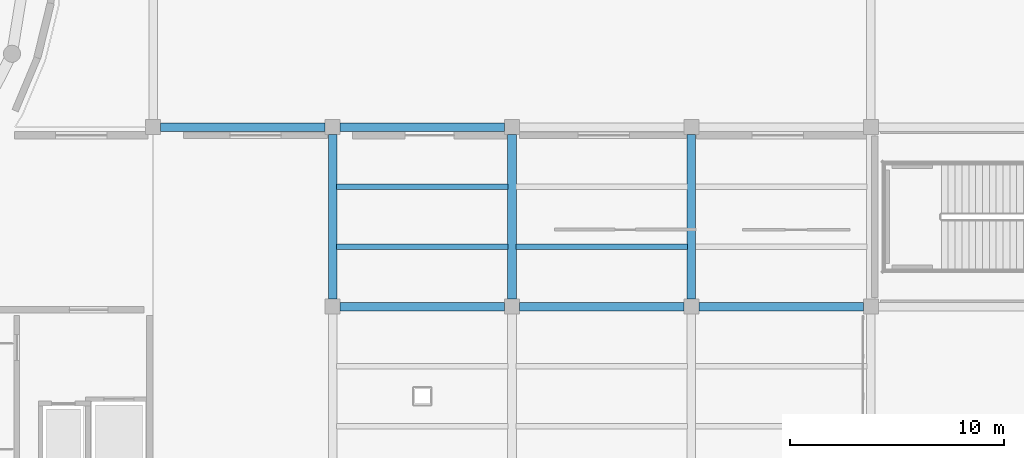
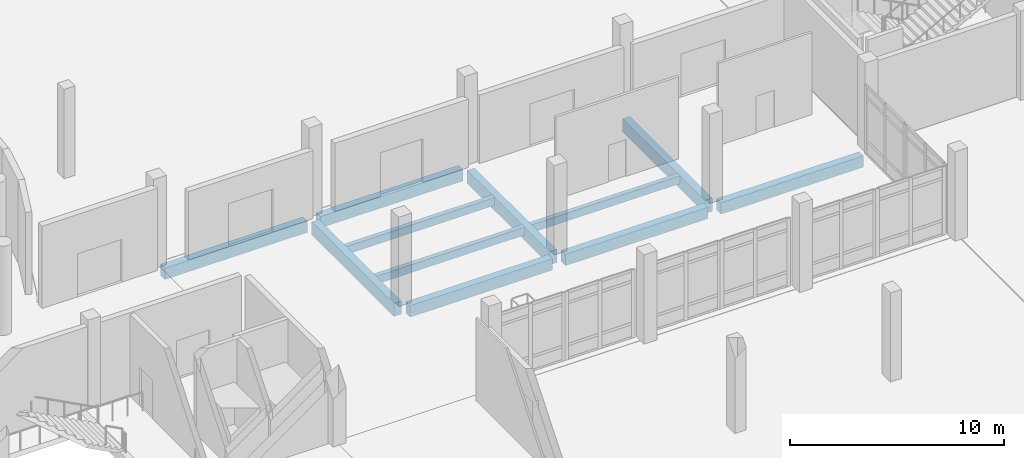
# One storey, part 11 of 64: 11 beams.
"""IFC4 building model written with IfcOpenShell, lengths in metres."""

from ifc_helpers import new_model, si_unit, derived_unit, direction, frame, origin, origin_2d, place, context, subcontext, project, spatial, rectangle, extrude, material, material_profile, profile_set, type_object, element, save


model = new_model("IFC4")

# Units and contexts
model_context = context("Model", 3, precision=1e-05, world=origin(), true_north=direction((0.0, 1.0)))
body_context = subcontext(model_context, "Body", "Model", "MODEL_VIEW")
ifc_project = project(units=[si_unit("LENGTHUNIT", "METRE"), si_unit("AREAUNIT", "SQUARE_METRE"), si_unit("VOLUMEUNIT", "CUBIC_METRE"), si_unit("PLANEANGLEUNIT", "RADIAN"), si_unit("MASSUNIT", "GRAM", prefix="KILO"), derived_unit("THERMALTRANSMITTANCEUNIT", [(si_unit("POWERUNIT", "WATT"), 1), (si_unit("LENGTHUNIT", "METRE"), -2), (si_unit("THERMODYNAMICTEMPERATUREUNIT", "KELVIN"), -1)])], contexts=[model_context])

# Site, building, storey
site_placement = place(None, origin())
site = spatial("IfcSite", under=ifc_project, at=site_placement, CompositionType="ELEMENT")
building_placement = place(site_placement, origin())
building = spatial("IfcBuilding", under=site, at=building_placement, Name="Elbkamm Science Centre", CompositionType="ELEMENT")
storey_placement = place(building_placement, origin())
storey = spatial("IfcBuildingStorey", under=building, at=storey_placement, Name="L00", CompositionType="ELEMENT", Elevation=0.0)

# Beams
ifc_material = material(Name="Concrete C40/50", Category="concrete")
ifc_material_profile_1 = material_profile(ifc_material, rectangle(XDim=0.39990234375, YDim=0.64990234375, at=origin_2d()), Name="RC 400x650")
ifc_profile_set_1 = profile_set([ifc_material_profile_1], Name="Concrete C40/50")
beam_type_1 = type_object("IfcBeamType", Name="BM-RC-400x650", PredefinedType="BEAM", material=ifc_profile_set_1)
beam_1_placement = place(storey_placement, frame((101.14990234375, 50.39990234375, -0.625), z_axis=(1.0, 0.0, 0.0), x_axis=(0.0, 1.0, 0.0)))
element("IfcBeam", 1, at=beam_1_placement, inside=storey, type_object=beam_type_1, Name="L00 Primary X-Girder 051", PredefinedType="BEAM", context=body_context, shape_type="SweptSolid", body=[
    extrude(rectangle(XDim=0.39990234375, YDim=0.64990234375, at=origin_2d()), origin(), (0.0, 0.0, 1.0), 7.7001953125),
])
for number, where, z_axis, x_axis, name in (
    (2, (109.550048828125, 50.39990234375, -0.625), (1.0, 0.0, 0.0), (0.0, 1.0, 0.0), "L00 Primary X-Girder 052"),
    (3, (117.949951171875, 50.39990234375, -0.625), (1.0, 0.0, 0.0), (0.0, 1.0, 0.0), "L00 Primary X-Girder 053"),
    (4, (92.75, 58.800048828125, -0.625), (1.0, 0.0, 0.0), (0.0, 1.0, 0.0), "L00 Primary X-Girder 060"),
):
    element("IfcBeam", number, at=place(storey_placement, frame(where, z_axis=z_axis, x_axis=x_axis)), inside=storey, type_object=beam_type_1, Name=name, PredefinedType="BEAM", context=body_context, shape_type="SweptSolid", body=[
        extrude(rectangle(XDim=0.39990234375, YDim=0.64990234375, at=origin_2d()), origin(), (0.0, 0.0, 1.0), 7.699951171875),
    ])
beam_2_placement = place(storey_placement, frame((101.14990234375, 58.800048828125, -0.625), z_axis=(1.0, 0.0, 0.0), x_axis=(0.0, 1.0, 0.0)))
element("IfcBeam", 5, at=beam_2_placement, inside=storey, type_object=beam_type_1, Name="L00 Primary X-Girder 061", PredefinedType="BEAM", context=body_context, shape_type="SweptSolid", body=[
    extrude(rectangle(XDim=0.39990234375, YDim=0.64990234375, at=origin_2d()), origin(), (0.0, 0.0, 1.0), 7.7001953125),
])
ifc_material_profile_2 = material_profile(ifc_material, rectangle(XDim=0.39990234375, YDim=0.75, at=origin_2d()), Name="RC 400x750")
ifc_profile_set_2 = profile_set([ifc_material_profile_2], Name="Concrete C40/50")
beam_type_2 = type_object("IfcBeamType", Name="BM-RC-400x750", PredefinedType="BEAM", material=ifc_profile_set_2)
for number, where, z_axis, x_axis, name in (
    (6, (100.800048828125, 50.75, -0.675048828125), (0.0, 1.0, 0.0), (-1.0, 0.0, 0.0), "L00 Primary Y-Girder 037"),
    (7, (109.199951171875, 50.75, -0.675048828125), (0.0, 1.0, 0.0), (-1.0, 0.0, 0.0), "L00 Primary Y-Girder 041"),
    (8, (117.60009765625, 50.75, -0.675048828125), (0.0, 1.0, 0.0), (-1.0, 0.0, 0.0), "L00 Primary Y-Girder 045"),
):
    element("IfcBeam", number, at=place(storey_placement, frame(where, z_axis=z_axis, x_axis=x_axis)), inside=storey, type_object=beam_type_2, Name=name, PredefinedType="BEAM", context=body_context, shape_type="SweptSolid", body=[
        extrude(rectangle(XDim=0.39990234375, YDim=0.75, at=origin_2d()), origin(), (0.0, 0.0, 1.0), 7.699951171875),
    ])
ifc_material_profile_3 = material_profile(ifc_material, rectangle(XDim=0.25, YDim=0.449951171875, at=origin_2d()), Name="RC 250x450")
ifc_profile_set_3 = profile_set([ifc_material_profile_3], Name="Concrete C40/50")
beam_type_3 = type_object("IfcBeamType", Name="JST-RC-250x450", PredefinedType="JOIST", material=ifc_profile_set_3)
for number, where, z_axis, x_axis, name in (
    (9, (100.97998046875, 53.199951171875, -0.52490234375), (1.0, 0.0, 0.0), (0.0, 1.0, 0.0), "L00 Secondary Floor Joist 027"),
    (10, (100.97998046875, 56.0, -0.52490234375), (1.0, 0.0, 0.0), (0.0, 1.0, 0.0), "L00 Secondary Floor Joist 028"),
    (11, (109.3798828125, 53.199951171875, -0.52490234375), (1.0, 0.0, 0.0), (0.0, 1.0, 0.0), "L00 Secondary Floor Joist 031"),
):
    element("IfcBeam", number, at=place(storey_placement, frame(where, z_axis=z_axis, x_axis=x_axis)), inside=storey, type_object=beam_type_3, Name=name, PredefinedType="JOIST", context=body_context, shape_type="SweptSolid", body=[
        extrude(rectangle(XDim=0.25, YDim=0.449951171875, at=origin_2d()), origin(), (0.0, 0.0, 1.0), 8.0400390625),
    ])

save(model, "model.ifc")
